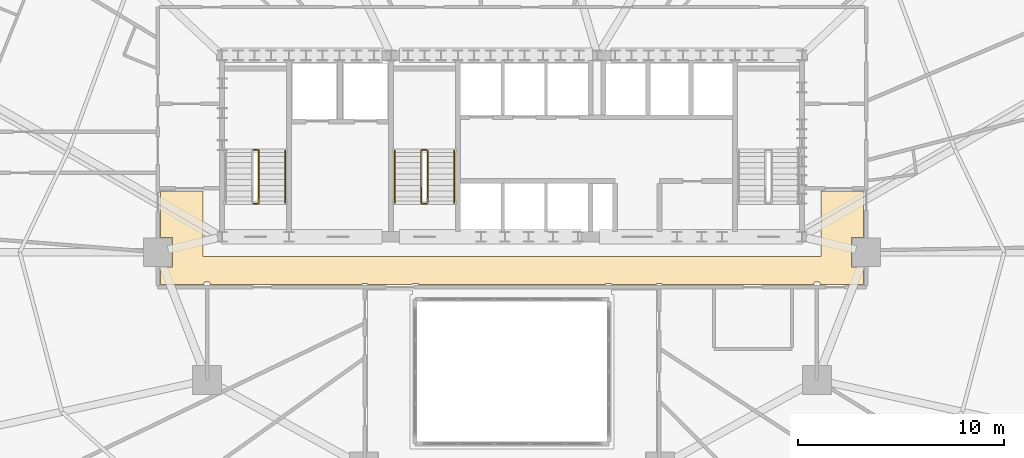
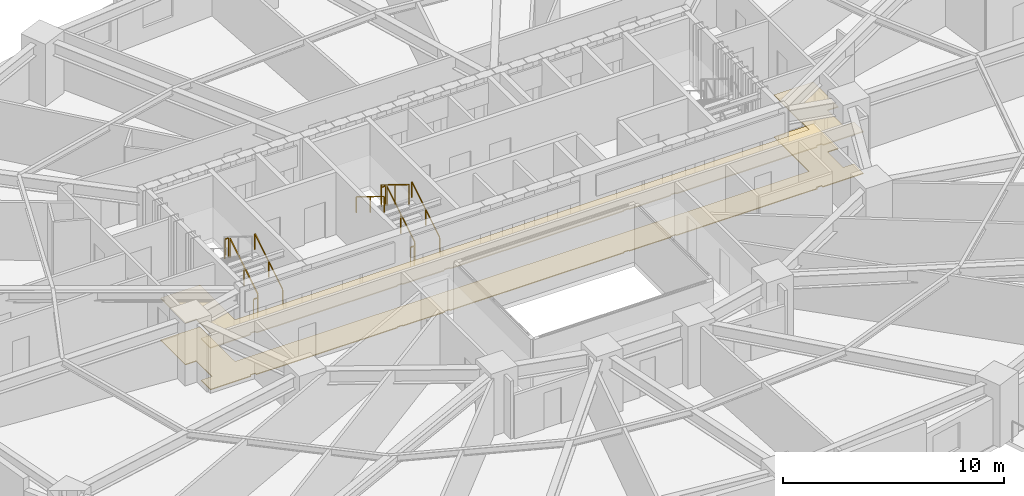
# One storey, part 15 of 17: 10 railings, 2 coverings.
"""IFC4 building model written with IfcOpenShell, lengths in metres."""

from ifc_helpers import new_model, si_unit, direction, frame, origin, origin_2d, place, context, subcontext, project, spatial, polyline, rectangle, outline, extrude, material, layer, layer_set, type_object, element, save


model = new_model("IFC4")

# Units and contexts
model_context = context("Model", 3, precision=1e-05, world=origin(), true_north=direction((0.0, 1.0)))
body_context = subcontext(model_context, "Body", "Model", "MODEL_VIEW")
ifc_project = project(units=[si_unit("LENGTHUNIT", "METRE"), si_unit("AREAUNIT", "SQUARE_METRE"), si_unit("VOLUMEUNIT", "CUBIC_METRE"), si_unit("PLANEANGLEUNIT", "RADIAN"), si_unit("MASSUNIT", "GRAM", prefix="KILO")], contexts=[model_context])

# Site, building, storey
site_placement = place(None, origin())
site = spatial("IfcSite", under=ifc_project, at=site_placement, CompositionType="ELEMENT")
building_placement = place(site_placement, origin())
building = spatial("IfcBuilding", under=site, at=building_placement, Name="Haldorwick Loom Tower", CompositionType="ELEMENT")
storey_placement = place(building_placement, frame((0.0, 0.0, 34.35009765625)))
storey = spatial("IfcBuildingStorey", under=building, at=storey_placement, Name="L08", CompositionType="ELEMENT", Elevation=34.35009765625)

# Coverings
ifc_material_1 = material(Name="Mineral Fibre Acoustic Ceiling Tile")
ifc_layer_1 = layer(ifc_material_1, 0.054931640625, Name="Mineral Fibre Acoustic Ceiling Tile")
ifc_layer_set_1 = layer_set([ifc_layer_1], Name="Mineral Fibre Acoustic Ceiling Tile")
covering_type_1 = type_object("IfcCoveringType", Name="ARC-COV-CEIL2", PredefinedType="CEILING", material=ifc_layer_set_1)
covering_1_placement = place(storey_placement, frame((0.0, 0.0, 2.302001953125)))
element("IfcCovering", 1, at=covering_1_placement, inside=storey, type_object=covering_type_1, Name="L08 Acoustic Suspended Ceiling 2", PredefinedType="CEILING", context=body_context, shape_type="SweptSolid", body=[
    extrude(outline(polyline([(51.0, 28.9599609375), (51.0, 25.800048828125), (21.0, 25.800048828125), (21.0, 28.9599609375), (18.93994140625, 28.9599609375), (18.93994140625, 26.7080078125), (19.508056640625, 26.7080078125), (19.508056640625, 25.2919921875), (18.93994140625, 25.2919921875), (18.93994140625, 24.43994140625), (21.06005859375, 24.43994140625), (21.06005859375, 24.52001953125), (21.06005859375, 24.52197265625), (21.060302734375, 24.52392578125), (21.060791015625, 24.52587890625), (21.0615234375, 24.527587890625), (21.0625, 24.529296875), (21.0634765625, 24.531005859375), (21.064453125, 24.53271484375), (21.06591796875, 24.5341796875), (21.0673828125, 24.535400390625), (21.06884765625, 24.53662109375), (21.070556640625, 24.53759765625), (21.072265625, 24.53857421875), (21.07421875, 24.5390625), (21.076171875, 24.53955078125), (21.077880859375, 24.539794921875), (21.080078125, 24.5400390625), (21.320068359375, 24.5400390625), (21.322021484375, 24.539794921875), (21.323974609375, 24.53955078125), (21.32568359375, 24.5390625), (21.32763671875, 24.53857421875), (21.329345703125, 24.53759765625), (21.3310546875, 24.53662109375), (21.332763671875, 24.535400390625), (21.333984375, 24.5341796875), (21.33544921875, 24.53271484375), (21.336669921875, 24.531005859375), (21.337646484375, 24.529296875), (21.33837890625, 24.527587890625), (21.339111328125, 24.52587890625), (21.339599609375, 24.52392578125), (21.33984375, 24.52197265625), (21.340087890625, 24.52001953125), (21.340087890625, 24.43994140625), (28.7099609375, 24.43994140625), (28.7099609375, 24.469970703125), (28.710205078125, 24.471923828125), (28.71044921875, 24.473876953125), (28.7109375, 24.475830078125), (28.71142578125, 24.477783203125), (28.71240234375, 24.4794921875), (28.71337890625, 24.481201171875), (28.714599609375, 24.482666015625), (28.7158203125, 24.484130859375), (28.71728515625, 24.485595703125), (28.718994140625, 24.486572265625), (28.720703125, 24.487548828125), (28.722412109375, 24.488525390625), (28.72412109375, 24.489013671875), (28.72607421875, 24.489501953125), (28.72802734375, 24.489990234375), (28.72998046875, 24.489990234375), (28.969970703125, 24.489990234375), (28.971923828125, 24.489990234375), (28.973876953125, 24.489501953125), (28.975830078125, 24.489013671875), (28.977783203125, 24.488525390625), (28.9794921875, 24.487548828125), (28.981201171875, 24.486572265625), (28.982666015625, 24.485595703125), (28.984130859375, 24.484130859375), (28.985595703125, 24.482666015625), (28.986572265625, 24.481201171875), (28.987548828125, 24.4794921875), (28.988525390625, 24.477783203125), (28.989013671875, 24.475830078125), (28.989501953125, 24.473876953125), (28.989990234375, 24.471923828125), (28.989990234375, 24.469970703125), (28.989990234375, 24.43994140625), (31.179931640625, 24.43994140625), (31.179931640625, 24.469970703125), (31.18017578125, 24.471923828125), (31.180419921875, 24.473876953125), (31.180908203125, 24.475830078125), (31.181396484375, 24.477783203125), (31.182373046875, 24.4794921875), (31.183349609375, 24.481201171875), (31.1845703125, 24.482666015625), (31.185791015625, 24.484130859375), (31.187255859375, 24.485595703125), (31.18896484375, 24.486572265625), (31.190673828125, 24.487548828125), (31.1923828125, 24.488525390625), (31.194091796875, 24.489013671875), (31.196044921875, 24.489501953125), (31.197998046875, 24.489990234375), (31.199951171875, 24.489990234375), (31.43994140625, 24.489990234375), (31.44189453125, 24.489990234375), (31.44384765625, 24.489501953125), (31.44580078125, 24.489013671875), (31.44775390625, 24.488525390625), (31.449462890625, 24.487548828125), (31.451171875, 24.486572265625), (31.45263671875, 24.485595703125), (31.4541015625, 24.484130859375), (31.45556640625, 24.482666015625), (31.45654296875, 24.481201171875), (31.45751953125, 24.4794921875), (31.45849609375, 24.477783203125), (31.458984375, 24.475830078125), (31.459716796875, 24.473876953125), (31.4599609375, 24.471923828125), (31.4599609375, 24.469970703125), (31.4599609375, 24.43994140625), (40.5400390625, 24.43994140625), (40.5400390625, 24.469970703125), (40.5400390625, 24.471923828125), (40.540283203125, 24.473876953125), (40.541015625, 24.475830078125), (40.54150390625, 24.477783203125), (40.54248046875, 24.4794921875), (40.54345703125, 24.481201171875), (40.54443359375, 24.482666015625), (40.5458984375, 24.484130859375), (40.54736328125, 24.485595703125), (40.548828125, 24.486572265625), (40.550537109375, 24.487548828125), (40.55224609375, 24.488525390625), (40.55419921875, 24.489013671875), (40.55615234375, 24.489501953125), (40.55810546875, 24.489990234375), (40.56005859375, 24.489990234375), (40.800048828125, 24.489990234375), (40.802001953125, 24.489990234375), (40.803955078125, 24.489501953125), (40.805908203125, 24.489013671875), (40.8076171875, 24.488525390625), (40.809326171875, 24.487548828125), (40.81103515625, 24.486572265625), (40.812744140625, 24.485595703125), (40.814208984375, 24.484130859375), (40.8154296875, 24.482666015625), (40.816650390625, 24.481201171875), (40.817626953125, 24.4794921875), (40.818603515625, 24.477783203125), (40.819091796875, 24.475830078125), (40.819580078125, 24.473876953125), (40.81982421875, 24.471923828125), (40.820068359375, 24.469970703125), (40.820068359375, 24.43994140625), (43.010009765625, 24.43994140625), (43.010009765625, 24.469970703125), (43.010009765625, 24.471923828125), (43.010498046875, 24.473876953125), (43.010986328125, 24.475830078125), (43.011474609375, 24.477783203125), (43.012451171875, 24.4794921875), (43.013427734375, 24.481201171875), (43.014404296875, 24.482666015625), (43.015869140625, 24.484130859375), (43.017333984375, 24.485595703125), (43.018798828125, 24.486572265625), (43.0205078125, 24.487548828125), (43.022216796875, 24.488525390625), (43.024169921875, 24.489013671875), (43.026123046875, 24.489501953125), (43.028076171875, 24.489990234375), (43.030029296875, 24.489990234375), (43.27001953125, 24.489990234375), (43.27197265625, 24.489990234375), (43.27392578125, 24.489501953125), (43.27587890625, 24.489013671875), (43.277587890625, 24.488525390625), (43.279296875, 24.487548828125), (43.281005859375, 24.486572265625), (43.28271484375, 24.485595703125), (43.2841796875, 24.484130859375), (43.285400390625, 24.482666015625), (43.28662109375, 24.481201171875), (43.28759765625, 24.4794921875), (43.28857421875, 24.477783203125), (43.2890625, 24.475830078125), (43.28955078125, 24.473876953125), (43.289794921875, 24.471923828125), (43.2900390625, 24.469970703125), (43.2900390625, 24.43994140625), (50.659912109375, 24.43994140625), (50.659912109375, 24.52001953125), (50.66015625, 24.52197265625), (50.660400390625, 24.52392578125), (50.660888671875, 24.52587890625), (50.66162109375, 24.527587890625), (50.662353515625, 24.529296875), (50.663330078125, 24.531005859375), (50.66455078125, 24.53271484375), (50.666015625, 24.5341796875), (50.667236328125, 24.535400390625), (50.6689453125, 24.53662109375), (50.670654296875, 24.53759765625), (50.67236328125, 24.53857421875), (50.67431640625, 24.5390625), (50.676025390625, 24.53955078125), (50.677978515625, 24.539794921875), (50.679931640625, 24.5400390625), (50.919921875, 24.5400390625), (50.922119140625, 24.539794921875), (50.923828125, 24.53955078125), (50.92578125, 24.5390625), (50.927734375, 24.53857421875), (50.929443359375, 24.53759765625), (50.93115234375, 24.53662109375), (50.9326171875, 24.535400390625), (50.93408203125, 24.5341796875), (50.935546875, 24.53271484375), (50.9365234375, 24.531005859375), (50.9375, 24.529296875), (50.9384765625, 24.527587890625), (50.939208984375, 24.52587890625), (50.939697265625, 24.52392578125), (50.93994140625, 24.52197265625), (50.93994140625, 24.52001953125), (50.93994140625, 24.43994140625), (53.06005859375, 24.43994140625), (53.06005859375, 25.2919921875), (52.491943359375, 25.2919921875), (52.491943359375, 26.7080078125), (53.06005859375, 26.7080078125), (53.06005859375, 28.9599609375), (51.0, 28.9599609375)])), origin(), (0.0, 0.0, 1.0), 0.054931640625),
])
ifc_material_2 = material(Name="Polished Aggregate Terrazzo Finish")
ifc_layer_2 = layer(ifc_material_2, 0.044921875, Name="Polished Aggregate Terrazzo Finish")
ifc_layer_set_2 = layer_set([ifc_layer_2], Name="Polished Aggregate Terrazzo Finish")
covering_type_2 = type_object("IfcCoveringType", Name="ARC-COV-FLOOR2", PredefinedType="FLOORING", material=ifc_layer_set_2)
covering_2_placement = place(storey_placement, origin())
element("IfcCovering", 2, at=covering_2_placement, inside=storey, type_object=covering_type_2, Name="L08 Floor Finish 2", PredefinedType="FLOORING", context=body_context, shape_type="SweptSolid", body=[
    extrude(outline(polyline([(51.0, 28.9599609375), (51.0, 25.800048828125), (21.0, 25.800048828125), (21.0, 28.9599609375), (18.93994140625, 28.9599609375), (18.93994140625, 26.7080078125), (19.508056640625, 26.7080078125), (19.508056640625, 25.2919921875), (18.93994140625, 25.2919921875), (18.93994140625, 24.43994140625), (21.06005859375, 24.43994140625), (21.06005859375, 24.52001953125), (21.06005859375, 24.52197265625), (21.060302734375, 24.52392578125), (21.060791015625, 24.52587890625), (21.0615234375, 24.527587890625), (21.0625, 24.529296875), (21.0634765625, 24.531005859375), (21.064453125, 24.53271484375), (21.06591796875, 24.5341796875), (21.0673828125, 24.535400390625), (21.06884765625, 24.53662109375), (21.070556640625, 24.53759765625), (21.072265625, 24.53857421875), (21.07421875, 24.5390625), (21.076171875, 24.53955078125), (21.077880859375, 24.539794921875), (21.080078125, 24.5400390625), (21.320068359375, 24.5400390625), (21.322021484375, 24.539794921875), (21.323974609375, 24.53955078125), (21.32568359375, 24.5390625), (21.32763671875, 24.53857421875), (21.329345703125, 24.53759765625), (21.3310546875, 24.53662109375), (21.332763671875, 24.535400390625), (21.333984375, 24.5341796875), (21.33544921875, 24.53271484375), (21.336669921875, 24.531005859375), (21.337646484375, 24.529296875), (21.33837890625, 24.527587890625), (21.339111328125, 24.52587890625), (21.339599609375, 24.52392578125), (21.33984375, 24.52197265625), (21.340087890625, 24.52001953125), (21.340087890625, 24.43994140625), (28.7099609375, 24.43994140625), (28.7099609375, 24.469970703125), (28.710205078125, 24.471923828125), (28.71044921875, 24.473876953125), (28.7109375, 24.475830078125), (28.71142578125, 24.477783203125), (28.71240234375, 24.4794921875), (28.71337890625, 24.481201171875), (28.714599609375, 24.482666015625), (28.7158203125, 24.484130859375), (28.71728515625, 24.485595703125), (28.718994140625, 24.486572265625), (28.720703125, 24.487548828125), (28.722412109375, 24.488525390625), (28.72412109375, 24.489013671875), (28.72607421875, 24.489501953125), (28.72802734375, 24.489990234375), (28.72998046875, 24.489990234375), (28.969970703125, 24.489990234375), (28.971923828125, 24.489990234375), (28.973876953125, 24.489501953125), (28.975830078125, 24.489013671875), (28.977783203125, 24.488525390625), (28.9794921875, 24.487548828125), (28.981201171875, 24.486572265625), (28.982666015625, 24.485595703125), (28.984130859375, 24.484130859375), (28.985595703125, 24.482666015625), (28.986572265625, 24.481201171875), (28.987548828125, 24.4794921875), (28.988525390625, 24.477783203125), (28.989013671875, 24.475830078125), (28.989501953125, 24.473876953125), (28.989990234375, 24.471923828125), (28.989990234375, 24.469970703125), (28.989990234375, 24.43994140625), (31.179931640625, 24.43994140625), (31.179931640625, 24.469970703125), (31.18017578125, 24.471923828125), (31.180419921875, 24.473876953125), (31.180908203125, 24.475830078125), (31.181396484375, 24.477783203125), (31.182373046875, 24.4794921875), (31.183349609375, 24.481201171875), (31.1845703125, 24.482666015625), (31.185791015625, 24.484130859375), (31.187255859375, 24.485595703125), (31.18896484375, 24.486572265625), (31.190673828125, 24.487548828125), (31.1923828125, 24.488525390625), (31.194091796875, 24.489013671875), (31.196044921875, 24.489501953125), (31.197998046875, 24.489990234375), (31.199951171875, 24.489990234375), (31.43994140625, 24.489990234375), (31.44189453125, 24.489990234375), (31.44384765625, 24.489501953125), (31.44580078125, 24.489013671875), (31.44775390625, 24.488525390625), (31.449462890625, 24.487548828125), (31.451171875, 24.486572265625), (31.45263671875, 24.485595703125), (31.4541015625, 24.484130859375), (31.45556640625, 24.482666015625), (31.45654296875, 24.481201171875), (31.45751953125, 24.4794921875), (31.45849609375, 24.477783203125), (31.458984375, 24.475830078125), (31.459716796875, 24.473876953125), (31.4599609375, 24.471923828125), (31.4599609375, 24.469970703125), (31.4599609375, 24.43994140625), (40.5400390625, 24.43994140625), (40.5400390625, 24.469970703125), (40.5400390625, 24.471923828125), (40.540283203125, 24.473876953125), (40.541015625, 24.475830078125), (40.54150390625, 24.477783203125), (40.54248046875, 24.4794921875), (40.54345703125, 24.481201171875), (40.54443359375, 24.482666015625), (40.5458984375, 24.484130859375), (40.54736328125, 24.485595703125), (40.548828125, 24.486572265625), (40.550537109375, 24.487548828125), (40.55224609375, 24.488525390625), (40.55419921875, 24.489013671875), (40.55615234375, 24.489501953125), (40.55810546875, 24.489990234375), (40.56005859375, 24.489990234375), (40.800048828125, 24.489990234375), (40.802001953125, 24.489990234375), (40.803955078125, 24.489501953125), (40.805908203125, 24.489013671875), (40.8076171875, 24.488525390625), (40.809326171875, 24.487548828125), (40.81103515625, 24.486572265625), (40.812744140625, 24.485595703125), (40.814208984375, 24.484130859375), (40.8154296875, 24.482666015625), (40.816650390625, 24.481201171875), (40.817626953125, 24.4794921875), (40.818603515625, 24.477783203125), (40.819091796875, 24.475830078125), (40.819580078125, 24.473876953125), (40.81982421875, 24.471923828125), (40.820068359375, 24.469970703125), (40.820068359375, 24.43994140625), (43.010009765625, 24.43994140625), (43.010009765625, 24.469970703125), (43.010009765625, 24.471923828125), (43.010498046875, 24.473876953125), (43.010986328125, 24.475830078125), (43.011474609375, 24.477783203125), (43.012451171875, 24.4794921875), (43.013427734375, 24.481201171875), (43.014404296875, 24.482666015625), (43.015869140625, 24.484130859375), (43.017333984375, 24.485595703125), (43.018798828125, 24.486572265625), (43.0205078125, 24.487548828125), (43.022216796875, 24.488525390625), (43.024169921875, 24.489013671875), (43.026123046875, 24.489501953125), (43.028076171875, 24.489990234375), (43.030029296875, 24.489990234375), (43.27001953125, 24.489990234375), (43.27197265625, 24.489990234375), (43.27392578125, 24.489501953125), (43.27587890625, 24.489013671875), (43.277587890625, 24.488525390625), (43.279296875, 24.487548828125), (43.281005859375, 24.486572265625), (43.28271484375, 24.485595703125), (43.2841796875, 24.484130859375), (43.285400390625, 24.482666015625), (43.28662109375, 24.481201171875), (43.28759765625, 24.4794921875), (43.28857421875, 24.477783203125), (43.2890625, 24.475830078125), (43.28955078125, 24.473876953125), (43.289794921875, 24.471923828125), (43.2900390625, 24.469970703125), (43.2900390625, 24.43994140625), (50.659912109375, 24.43994140625), (50.659912109375, 24.52001953125), (50.66015625, 24.52197265625), (50.660400390625, 24.52392578125), (50.660888671875, 24.52587890625), (50.66162109375, 24.527587890625), (50.662353515625, 24.529296875), (50.663330078125, 24.531005859375), (50.66455078125, 24.53271484375), (50.666015625, 24.5341796875), (50.667236328125, 24.535400390625), (50.6689453125, 24.53662109375), (50.670654296875, 24.53759765625), (50.67236328125, 24.53857421875), (50.67431640625, 24.5390625), (50.676025390625, 24.53955078125), (50.677978515625, 24.539794921875), (50.679931640625, 24.5400390625), (50.919921875, 24.5400390625), (50.922119140625, 24.539794921875), (50.923828125, 24.53955078125), (50.92578125, 24.5390625), (50.927734375, 24.53857421875), (50.929443359375, 24.53759765625), (50.93115234375, 24.53662109375), (50.9326171875, 24.535400390625), (50.93408203125, 24.5341796875), (50.935546875, 24.53271484375), (50.9365234375, 24.531005859375), (50.9375, 24.529296875), (50.9384765625, 24.527587890625), (50.939208984375, 24.52587890625), (50.939697265625, 24.52392578125), (50.93994140625, 24.52197265625), (50.93994140625, 24.52001953125), (50.93994140625, 24.43994140625), (53.06005859375, 24.43994140625), (53.06005859375, 25.2919921875), (52.491943359375, 25.2919921875), (52.491943359375, 26.7080078125), (53.06005859375, 26.7080078125), (53.06005859375, 28.9599609375), (51.0, 28.9599609375)])), origin(), (0.0, 0.0, 1.0), 0.044921875),
])

# Railings
ifc_material_3 = material(Name="Steel CSA G40.21 350W", Category="steel")
railing_type_1 = type_object("IfcRailingType", Name="ARC-RLG-GUARD112", PredefinedType="GUARDRAIL", material=ifc_material_3)
railing_1_placement = place(storey_placement, frame((23.699951171875, 28.39990234375, 0.17236328125)))
element("IfcRailing", 3, at=railing_1_placement, inside=storey, type_object=railing_type_1, Name="L08 ST-01 stair guard 1", PredefinedType="GUARDRAIL", context=body_context, shape_type="SweptSolid", body=[
    extrude(rectangle(XDim=0.048095703125, YDim=0.048095703125, at=origin_2d()), frame((0.0, 0.0, 1.076171875), z_axis=(0.0, 0.851400495292, 0.524516154772), x_axis=(-1.0, 0.0, 0.0)), (0.0, 0.0, 1.0), 2.9599609375),
    extrude(rectangle(XDim=0.0419921875, YDim=0.0419921875, at=origin_2d()), origin(), (0.0, 0.0, 1.0), 1.052001953125),
    extrude(rectangle(XDim=0.0419921875, YDim=0.0419921875, at=origin_2d()), frame((0.0, 1.260009765625, 0.7763671875)), (0.0, 0.0, 1.0), 1.052001953125),
    extrude(rectangle(XDim=0.0419921875, YDim=0.0419921875, at=origin_2d()), frame((0.0, 2.52001953125, 1.552490234375)), (0.0, 0.0, 1.0), 1.052001953125),
])
for number, where, name in (
    (4, (23.64990234375, 30.969970703125, 1.724853515625), "L08 ST-01 stair guard 2"),
    (5, (23.64990234375, 28.35009765625, 0.0), "L08 ST-01 stair guard 4"),
):
    element("IfcRailing", number, at=place(storey_placement, frame(where)), inside=storey, type_object=railing_type_1, Name=name, PredefinedType="GUARDRAIL", context=body_context, shape_type="SweptSolid", body=[
        extrude(rectangle(XDim=0.048095703125, YDim=0.048095703125, at=origin_2d()), frame((0.0, 0.0, 1.076171875), z_axis=(-1.0, 0.0, 0.0), x_axis=(0.0, -1.0, 0.0)), (0.0, 0.0, 1.0), 0.199951171875),
        extrude(rectangle(XDim=0.0419921875, YDim=0.0419921875, at=origin_2d()), origin(), (0.0, 0.0, 1.0), 1.052001953125),
        extrude(rectangle(XDim=0.0419921875, YDim=0.0419921875, at=origin_2d()), frame((-0.199951171875, 0.0, 0.0)), (0.0, 0.0, 1.0), 1.052001953125),
    ])
railing_2_placement = place(storey_placement, frame((31.89990234375, 28.39990234375, 0.17236328125)))
element("IfcRailing", 6, at=railing_2_placement, inside=storey, type_object=railing_type_1, Name="L08 ST-03 stair guard 1", PredefinedType="GUARDRAIL", context=body_context, shape_type="SweptSolid", body=[
    extrude(rectangle(XDim=0.048095703125, YDim=0.048095703125, at=origin_2d()), frame((0.0, 0.0, 1.076171875), z_axis=(0.0, 0.851400495292, 0.524516154772), x_axis=(-1.0, 0.0, 0.0)), (0.0, 0.0, 1.0), 2.9599609375),
    extrude(rectangle(XDim=0.0419921875, YDim=0.0419921875, at=origin_2d()), origin(), (0.0, 0.0, 1.0), 1.052001953125),
    extrude(rectangle(XDim=0.0419921875, YDim=0.0419921875, at=origin_2d()), frame((0.0, 1.260009765625, 0.7763671875)), (0.0, 0.0, 1.0), 1.052001953125),
    extrude(rectangle(XDim=0.0419921875, YDim=0.0419921875, at=origin_2d()), frame((0.0, 2.52001953125, 1.552490234375)), (0.0, 0.0, 1.0), 1.052001953125),
])
railing_3_placement = place(storey_placement, frame((31.85009765625, 30.969970703125, 1.724853515625)))
element("IfcRailing", 7, at=railing_3_placement, inside=storey, type_object=railing_type_1, Name="L08 ST-03 stair guard 2", PredefinedType="GUARDRAIL", context=body_context, shape_type="SweptSolid", body=[
    extrude(rectangle(XDim=0.048095703125, YDim=0.048095703125, at=origin_2d()), frame((0.0, 0.0, 1.076171875), z_axis=(-1.0, 0.0, 0.0), x_axis=(0.0, -1.0, 0.0)), (0.0, 0.0, 1.0), 0.2001953125),
    extrude(rectangle(XDim=0.0419921875, YDim=0.0419921875, at=origin_2d()), origin(), (0.0, 0.0, 1.0), 1.052001953125),
    extrude(rectangle(XDim=0.0419921875, YDim=0.0419921875, at=origin_2d()), frame((-0.2001953125, 0.0, 0.0)), (0.0, 0.0, 1.0), 1.052001953125),
])
railing_4_placement = place(storey_placement, frame((31.60009765625, 30.919921875, 1.8974609375)))
element("IfcRailing", 8, at=railing_4_placement, inside=storey, type_object=railing_type_1, Name="L08 ST-03 stair guard 3", PredefinedType="GUARDRAIL", context=body_context, shape_type="SweptSolid", body=[
    extrude(rectangle(XDim=0.048095703125, YDim=0.048095703125, at=origin_2d()), frame((0.0, 0.0, 1.076171875), z_axis=(0.0, -0.851400495292, 0.524516154772), x_axis=(1.0, 0.0, 0.0)), (0.0, 0.0, 1.0), 2.9599609375),
    extrude(rectangle(XDim=0.0419921875, YDim=0.0419921875, at=origin_2d()), origin(), (0.0, 0.0, 1.0), 1.052001953125),
    extrude(rectangle(XDim=0.0419921875, YDim=0.0419921875, at=origin_2d()), frame((0.0, -1.260009765625, 0.7763671875)), (0.0, 0.0, 1.0), 1.052001953125),
    extrude(rectangle(XDim=0.0419921875, YDim=0.0419921875, at=origin_2d()), frame((0.0, -2.52001953125, 1.552490234375)), (0.0, 0.0, 1.0), 1.052001953125),
])
railing_5_placement = place(storey_placement, frame((31.85009765625, 28.35009765625, 0.0)))
element("IfcRailing", 9, at=railing_5_placement, inside=storey, type_object=railing_type_1, Name="L08 ST-03 stair guard 4", PredefinedType="GUARDRAIL", context=body_context, shape_type="SweptSolid", body=[
    extrude(rectangle(XDim=0.048095703125, YDim=0.048095703125, at=origin_2d()), frame((0.0, 0.0, 1.076171875), z_axis=(-1.0, 0.0, 0.0), x_axis=(0.0, -1.0, 0.0)), (0.0, 0.0, 1.0), 0.2001953125),
    extrude(rectangle(XDim=0.0419921875, YDim=0.0419921875, at=origin_2d()), origin(), (0.0, 0.0, 1.0), 1.052001953125),
    extrude(rectangle(XDim=0.0419921875, YDim=0.0419921875, at=origin_2d()), frame((-0.2001953125, 0.0, 0.0)), (0.0, 0.0, 1.0), 1.052001953125),
])
railing_type_2 = type_object("IfcRailingType", Name="ARC-RLG-HAND092", PredefinedType="HANDRAIL", material=ifc_material_3)
for number, where, name in (
    (10, (25.0, 28.39990234375, 0.17236328125), "L08 ST-01 stair handrail 1"),
    (11, (33.199951171875, 28.39990234375, 0.17236328125), "L08 ST-03 stair handrail 1"),
):
    element("IfcRailing", number, at=place(storey_placement, frame(where)), inside=storey, type_object=railing_type_2, Name=name, PredefinedType="HANDRAIL", context=body_context, shape_type="SweptSolid", body=[
        extrude(rectangle(XDim=0.048095703125, YDim=0.048095703125, at=origin_2d()), frame((0.0, 0.0, 0.8759765625), z_axis=(0.0, 0.851400495292, 0.524516154772), x_axis=(-1.0, 0.0, 0.0)), (0.0, 0.0, 1.0), 2.9599609375),
        extrude(rectangle(XDim=0.0419921875, YDim=0.0419921875, at=origin_2d()), origin(), (0.0, 0.0, 1.0), 0.851806640625),
        extrude(rectangle(XDim=0.0419921875, YDim=0.0419921875, at=origin_2d()), frame((0.0, 1.260009765625, 0.7763671875)), (0.0, 0.0, 1.0), 0.851806640625),
        extrude(rectangle(XDim=0.0419921875, YDim=0.0419921875, at=origin_2d()), frame((0.0, 2.52001953125, 1.552490234375)), (0.0, 0.0, 1.0), 0.851806640625),
    ])
railing_6_placement = place(storey_placement, frame((30.300048828125, 30.919921875, 1.8974609375)))
element("IfcRailing", 12, at=railing_6_placement, inside=storey, type_object=railing_type_2, Name="L08 ST-03 stair handrail 2", PredefinedType="HANDRAIL", context=body_context, shape_type="SweptSolid", body=[
    extrude(rectangle(XDim=0.048095703125, YDim=0.048095703125, at=origin_2d()), frame((0.0, 0.0, 0.8759765625), z_axis=(0.0, -0.851400495292, 0.524516154772), x_axis=(1.0, 0.0, 0.0)), (0.0, 0.0, 1.0), 2.9599609375),
    extrude(rectangle(XDim=0.0419921875, YDim=0.0419921875, at=origin_2d()), origin(), (0.0, 0.0, 1.0), 0.851806640625),
    extrude(rectangle(XDim=0.0419921875, YDim=0.0419921875, at=origin_2d()), frame((0.0, -1.260009765625, 0.7763671875)), (0.0, 0.0, 1.0), 0.851806640625),
    extrude(rectangle(XDim=0.0419921875, YDim=0.0419921875, at=origin_2d()), frame((0.0, -2.52001953125, 1.552490234375)), (0.0, 0.0, 1.0), 0.851806640625),
])

save(model, "model.ifc")
